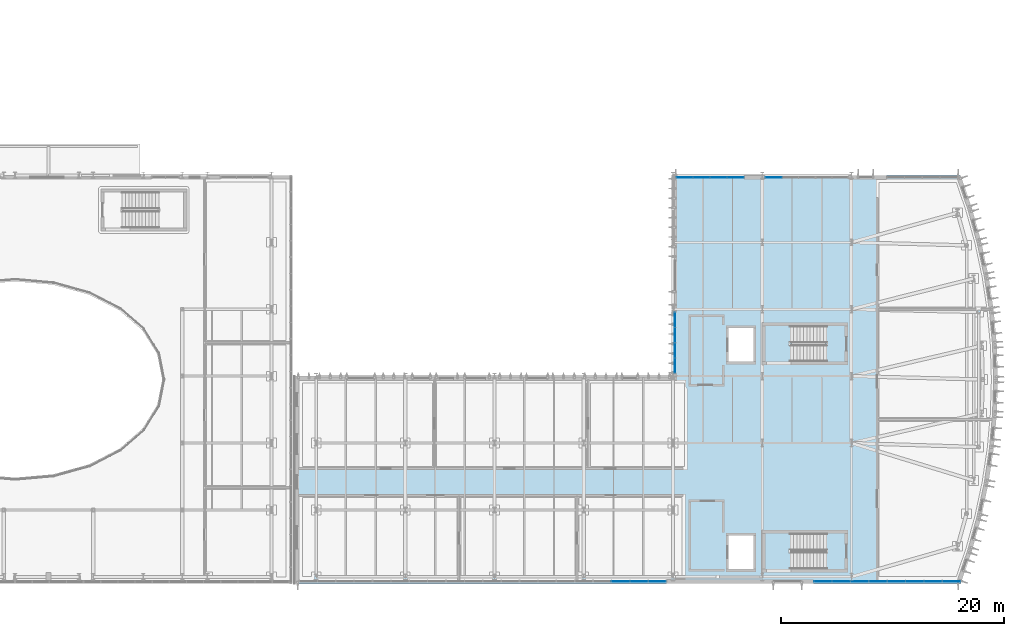
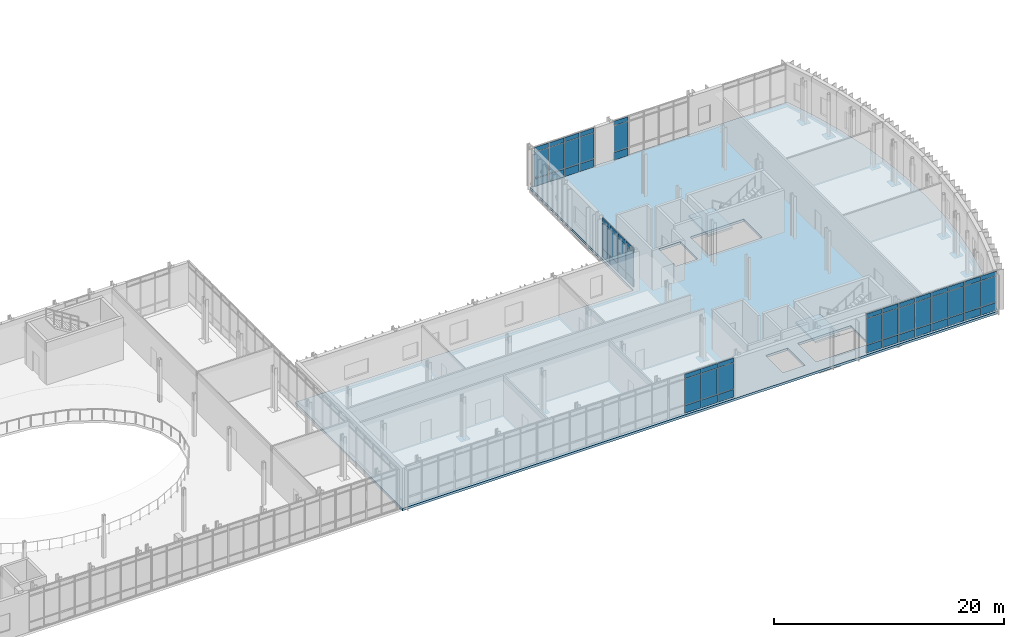
# One storey, part 58 of 100: 60 plates, 3 slabs, 8 elements without a shape of their own.
"""IFC4 building model written with IfcOpenShell, lengths in metres."""

import ifcopenshell
import ifcopenshell.guid

model = None  # the IFC model being written
_history = None  # IfcOwnerHistory: only IFC2X3 demands one
_inside = {}  # id of a spatial element -> (the spatial element, [elements in it])
_under = {}  # id of a project, library or spatial element -> (it, [spatial elements below it])
_declared = {}  # id of a project -> (the project, [libraries it declares])
_typed = {}  # id of a type object -> (the type object, [elements of that type])
_made_of = {}  # id of a material, layer set ... -> (it, [elements and type objects made of it])


def new_model(schema):
    """Start an empty IFC model of exactly this schema.

    Asked for "IFC4X3", IfcOpenShell would pick the latest addendum, in which some entities
    have other attributes; the version numbers below select the first issue.
    IFC2X3 requires an IfcOwnerHistory on every rooted entity: one is made here for all.
    """
    global model, _history
    if schema == "IFC4X3":
        model = ifcopenshell.file(schema_version=(4, 3, 0, 0))
    else:
        model = ifcopenshell.file(schema=schema)
    _inside.clear()
    _under.clear()
    _declared.clear()
    _typed.clear()
    _made_of.clear()
    _history = None
    if model.schema == "IFC2X3":
        org = make("IfcOrganization", Name="unknown")
        user = make(
            "IfcPersonAndOrganization",
            ThePerson=make("IfcPerson", FamilyName="unknown"),
            TheOrganization=org,
        )
        app = make(
            "IfcApplication",
            ApplicationDeveloper=org,
            Version="unknown",
            ApplicationFullName="unknown",
            ApplicationIdentifier="unknown",
        )
        _history = make(
            "IfcOwnerHistory",
            OwningUser=user,
            OwningApplication=app,
            ChangeAction="ADDED",
            CreationDate=0,
        )
    return model


def make(cls, **values):
    """One entity of the class cls with the attributes given. An attribute that is None is left unset."""
    return model.create_entity(
        cls, **{name: value for name, value in values.items() if value is not None}
    )


def rooted(cls, **values):
    """An entity with a GlobalId (a new one), such as an element, a storey or a relation."""
    return make(cls, GlobalId=ifcopenshell.guid.new(), OwnerHistory=_history, **values)


def si_unit(unit_type, name, prefix=None):
    """IfcSIUnit, for example si_unit("LENGTHUNIT", "METRE", prefix="MILLI")."""
    return make("IfcSIUnit", UnitType=unit_type, Prefix=prefix, Name=name)


def assignment(units):
    """IfcUnitAssignment: the units of a project."""
    return None if units is None else make("IfcUnitAssignment", Units=units)


def point(xyz):
    """IfcCartesianPoint."""
    return None if xyz is None else make("IfcCartesianPoint", Coordinates=xyz)


def direction(xyz):
    """IfcDirection."""
    return None if xyz is None else make("IfcDirection", DirectionRatios=xyz)


def frame(location, z_axis=None, x_axis=None):
    """IfcAxis2Placement3D, a coordinate frame: its origin and axes. An axis left out is left unset."""
    return make(
        "IfcAxis2Placement3D",
        Location=point(location),
        Axis=direction(z_axis),
        RefDirection=direction(x_axis),
    )


def frame_2d(location, x_axis=None):
    """IfcAxis2Placement2D, a coordinate frame in the plane: its origin and x axis."""
    return make(
        "IfcAxis2Placement2D", Location=point(location), RefDirection=direction(x_axis)
    )


def origin():
    """The frame at (0, 0, 0) with its axes left unset."""
    return frame((0.0, 0.0, 0.0))


def origin_2d():
    """The frame at (0, 0) in the plane with its x axis left unset."""
    return frame_2d((0.0, 0.0))


def place(relative_to, where):
    """IfcLocalPlacement: puts the frame where relative to a parent placement (None: the world)."""
    return make(
        "IfcLocalPlacement", PlacementRelTo=relative_to, RelativePlacement=where
    )


def context(
    kind, dimensions, precision=None, world=None, true_north=None, identifier=None
):
    """IfcGeometricRepresentationContext, for example the 3D "Model" context."""
    return make(
        "IfcGeometricRepresentationContext",
        ContextIdentifier=identifier,
        ContextType=kind,
        CoordinateSpaceDimension=dimensions,
        Precision=precision,
        WorldCoordinateSystem=world,
        TrueNorth=true_north,
    )


def subcontext(parent, identifier, kind, view, scale=None):
    """IfcGeometricRepresentationSubContext, for example "Body" below "Model"."""
    return make(
        "IfcGeometricRepresentationSubContext",
        ContextIdentifier=identifier,
        ContextType=kind,
        ParentContext=parent,
        TargetScale=scale,
        TargetView=view,
    )


def project(units=None, contexts=None):
    """IfcProject with its units and contexts."""
    return rooted(
        "IfcProject",
        Name="project",
        RepresentationContexts=contexts,
        UnitsInContext=assignment(units),
    )


def spatial(cls, under=None, at=None, **own):
    """A site, building, storey or space (cls), placed at a placement, below another one or the project."""
    s = rooted(cls, ObjectPlacement=at, **own)
    if under is not None:
        _under.setdefault(under.id(), (under, []))[1].append(s)
    return s


def polyline(points):
    """IfcPolyline through the points."""
    return make("IfcPolyline", Points=[point(p) for p in points])


def profile(cls, at=None, kind="AREA", **sizes):
    """A parametric profile (cls). Its sizes go by their IFC names, for example OverallWidth=200.0."""
    return make(cls, ProfileType=kind, Position=at, **sizes)


def rectangle(**sizes):
    """IfcRectangleProfileDef."""
    return profile("IfcRectangleProfileDef", **sizes)


def outline(outer, holes=None, kind="AREA"):
    """IfcArbitraryClosedProfileDef: a profile drawn as a closed curve; with holes, ...WithVoids."""
    if holes is None:
        return make("IfcArbitraryClosedProfileDef", ProfileType=kind, OuterCurve=outer)
    return make(
        "IfcArbitraryProfileDefWithVoids",
        ProfileType=kind,
        OuterCurve=outer,
        InnerCurves=holes,
    )


def extrude(swept, where, along, depth):
    """IfcExtrudedAreaSolid: the profile swept, set in the frame where, extruded along a direction by depth."""
    return make(
        "IfcExtrudedAreaSolid",
        SweptArea=swept,
        Position=where,
        ExtrudedDirection=direction(along),
        Depth=depth,
    )


def shape(context_of_items, identifier, shape_type, items):
    """IfcShapeRepresentation: the items that make up one representation, for example the "Body"."""
    return make(
        "IfcShapeRepresentation",
        ContextOfItems=context_of_items,
        RepresentationIdentifier=identifier,
        RepresentationType=shape_type,
        Items=items,
    )


def material(Name=None, Category=None):
    """IfcMaterial."""
    return make("IfcMaterial", Name=Name, Category=Category)


def layer(
    of_material, thickness, ventilated=None, Name=None, Category=None, Priority=None
):
    """IfcMaterialLayer: one layer of a wall or slab, of a material (None: an air gap)."""
    return make(
        "IfcMaterialLayer",
        Material=of_material,
        LayerThickness=thickness,
        IsVentilated=ventilated,
        Name=Name,
        Category=Category,
        Priority=Priority,
    )


def layer_set(layers, Name=None):
    """IfcMaterialLayerSet."""
    return make("IfcMaterialLayerSet", MaterialLayers=layers, LayerSetName=Name)


def made_of(thing, what):
    """Note that an element or type object is made of a material, layer set ...; save() writes the relation."""
    if what is not None:
        _made_of.setdefault(what.id(), (what, []))[1].append(thing)
    return thing


def type_object(cls, material=None, **own):
    """A type object (cls), such as IfcWallType, which elements share."""
    return made_of(rooted(cls, **own), material)


def element(
    cls,
    number,
    at=None,
    inside=None,
    cuts=None,
    type_object=None,
    material=None,
    context=None,
    identifier="Body",
    shape_type=None,
    held_by="IfcProductDefinitionShape",
    body=None,
    shapes=None,
    **own,
):
    """One element of the class cls, such as IfcWall. Its Tag is "e" and its number.

    at: its placement. inside: the storey or other place that contains it. cuts: it is an
    opening in that element (IfcRelVoidsElement). A single representation is given by context,
    identifier, shape_type and body (its items); several are given by shapes. held_by: the class
    of the entity that holds the representations. save() writes the other relations.
    """
    e = rooted(cls, Tag="e%d" % number, ObjectPlacement=at, **own)
    if body is not None:
        shapes = [shape(context, identifier, shape_type, body)]
    if shapes is not None:
        e.Representation = make(held_by, Representations=shapes)
    if inside is not None:
        _inside.setdefault(inside.id(), (inside, []))[1].append(e)
    if cuts is not None:
        rooted(
            "IfcRelVoidsElement", RelatingBuildingElement=cuts, RelatedOpeningElement=e
        )
    if type_object is not None:
        _typed.setdefault(type_object.id(), (type_object, []))[1].append(e)
    return made_of(e, material)


def aggregate(whole, parts):
    """IfcRelAggregates: a whole, such as a stair, and the parts it consists of."""
    return rooted("IfcRelAggregates", RelatingObject=whole, RelatedObjects=parts)


def save(model, path):
    """Write the relations noted so far, then the file.

    IfcRelAggregates (storeys below a building ...), IfcRelContainedInSpatialStructure (elements
    in a storey), IfcRelDefinesByType, IfcRelAssociatesMaterial and IfcRelDeclares: one each for
    every whole, place, type object, material and project.
    """
    for whole, parts in _under.values():
        aggregate(whole, parts)
    for where, things in _inside.values():
        rooted(
            "IfcRelContainedInSpatialStructure",
            RelatedElements=things,
            RelatingStructure=where,
        )
    for kind, things in _typed.values():
        rooted("IfcRelDefinesByType", RelatedObjects=things, RelatingType=kind)
    for what, things in _made_of.values():
        rooted("IfcRelAssociatesMaterial", RelatedObjects=things, RelatingMaterial=what)
    for by, libraries in _declared.values():
        rooted("IfcRelDeclares", RelatingContext=by, RelatedDefinitions=libraries)
    model.write(path)


model = new_model("IFC4")

# Units and contexts
model_context = context("Model", 3, precision=1e-05, world=origin(), true_north=direction((0.0, 1.0)))
body_context = subcontext(model_context, "Body", "Model", "MODEL_VIEW")
ifc_project = project(units=[si_unit("LENGTHUNIT", "METRE"), si_unit("AREAUNIT", "SQUARE_METRE"), si_unit("VOLUMEUNIT", "CUBIC_METRE"), si_unit("PLANEANGLEUNIT", "RADIAN"), si_unit("MASSUNIT", "GRAM", prefix="KILO")], contexts=[model_context])

# Site, building, storey
site_placement = place(None, origin())
site = spatial("IfcSite", under=ifc_project, at=site_placement, CompositionType="ELEMENT")
building_placement = place(site_placement, origin())
building = spatial("IfcBuilding", under=site, at=building_placement, Name="Cymarion Research Institute", CompositionType="ELEMENT")
storey_placement = place(building_placement, frame((0.0, 0.0, 4.800048828125)))
storey = spatial("IfcBuildingStorey", under=building, at=storey_placement, Name="L01", CompositionType="ELEMENT", Elevation=4.800048828125)

# Slab
ifc_material_1 = material(Name="Concrete C35/45", Category="concrete")
ifc_layer_1 = layer(ifc_material_1, 0.25)
ifc_layer_set_1 = layer_set([ifc_layer_1], Name="Concrete C35/45")
slab_type_1 = type_object("IfcSlabType", Name="COMPOSITE FLOOR SLAB SL-FL250 250MM", PredefinedType="FLOOR", material=ifc_layer_set_1)
slab_1_placement = place(storey_placement, frame((0.0, 0.0, -0.25)))
element("IfcSlab", 1, at=slab_1_placement, inside=storey, type_object=slab_type_1, Name="L01 V1 floor slab", PredefinedType="FLOOR", context=body_context, shape_type="SweptSolid", body=[
    extrude(outline(polyline([(104.699951171875, 4.89990234375), (164.39990234375, 4.89990234375), (165.40869140625, 7.848388671875), (166.2392578125, 10.85205078125), (166.88818359375, 13.900146484375), (167.353271484375, 16.9814453125), (167.633056640625, 20.085205078125), (167.7265625, 23.199951171875), (167.633056640625, 26.31494140625), (167.353271484375, 29.418701171875), (166.88818359375, 32.5), (166.2392578125, 35.5478515625), (165.40869140625, 38.551513671875), (164.39990234375, 41.5), (138.60009765625, 41.5), (138.60009765625, 23.5), (104.699951171875, 23.5), (104.699951171875, 4.89990234375)]), holes=[polyline([(152.260009765625, 9.39990234375), (146.89990234375, 9.39990234375), (146.89990234375, 6.199951171875), (152.260009765625, 6.199951171875), (152.260009765625, 9.39990234375)]), polyline([(143.60009765625, 6.199951171875), (145.800048828125, 6.199951171875), (145.800048828125, 9.199951171875), (143.60009765625, 9.199951171875), (143.60009765625, 6.199951171875)]), polyline([(152.260009765625, 28.0), (146.89990234375, 28.0), (146.89990234375, 24.800048828125), (152.260009765625, 24.800048828125), (152.260009765625, 28.0)]), polyline([(143.60009765625, 24.800048828125), (145.800048828125, 24.800048828125), (145.800048828125, 27.800048828125), (143.60009765625, 27.800048828125), (143.60009765625, 24.800048828125)])]), origin(), (0.0, 0.0, 1.0), 0.25),
])

# Curtain wall, plates
ifc_material_2 = material(Name="Anodised aluminium unitised curtain wall with Low-E glazing", Category="aluminium")
curtain_wall_type_1 = type_object("IfcCurtainWallType", Name="UNITISED CURTAIN WALL CW01 6590X4250", PredefinedType="NOTDEFINED", material=ifc_material_2)
curtain_wall_1_placement = place(storey_placement, origin())
curtain_wall_1 = element("IfcCurtainWall", 2, at=curtain_wall_1_placement, inside=storey, type_object=curtain_wall_type_1, Name="L01 V1 unitised curtain wall CW01 #5", PredefinedType="NOTDEFINED")
ifc_material_3 = material(Name="Insulated anodised aluminium spandrel panel", Category="aluminium")
ifc_layer_2 = layer(ifc_material_3, 0.06005859375)
ifc_layer_set_2 = layer_set([ifc_layer_2], Name="Insulated anodised aluminium spandrel panel")
plate_type_1 = type_object("IfcPlateType", Name="INSULATED ALUMINIUM SPANDREL PANEL SP01 60MM", PredefinedType="SHEET", material=ifc_layer_set_2)
plate_1_placement = place(storey_placement, frame((133.90673828125, 5.090087890625, 0.059814453125), z_axis=(0.0, 0.0, 1.0), x_axis=(1.0, 0.0, 0.0)))
plate_1 = element("IfcPlate", 3, at=plate_1_placement, type_object=plate_type_1, Name="CW01 panel 2.1", PredefinedType="SHEET", context=body_context, shape_type="SweptSolid", body=[
    extrude(rectangle(XDim=1.58837890625, YDim=0.06005859375, at=origin_2d()), origin(), (0.0, 0.0, 1.0), 0.81005859375),
])
plate_2_placement = place(storey_placement, frame((133.90673828125, 5.090087890625, 3.72998046875), z_axis=(0.0, 0.0, 1.0), x_axis=(1.0, 0.0, 0.0)))
plate_2 = element("IfcPlate", 4, at=plate_2_placement, type_object=plate_type_1, Name="CW01 panel 2.3", PredefinedType="SHEET", context=body_context, shape_type="SweptSolid", body=[
    extrude(rectangle(XDim=1.58837890625, YDim=0.06005859375, at=origin_2d()), origin(), (0.0, 0.0, 1.0), 0.4599609375),
])
plate_3_placement = place(storey_placement, frame((135.55517578125, 5.090087890625, 0.059814453125), z_axis=(0.0, 0.0, 1.0), x_axis=(1.0, 0.0, 0.0)))
plate_3 = element("IfcPlate", 5, at=plate_3_placement, type_object=plate_type_1, Name="CW01 panel 3.1", PredefinedType="SHEET", context=body_context, shape_type="SweptSolid", body=[
    extrude(rectangle(XDim=1.58837890625, YDim=0.06005859375, at=origin_2d()), origin(), (0.0, 0.0, 1.0), 0.81005859375),
])
plate_4_placement = place(storey_placement, frame((135.55517578125, 5.090087890625, 3.72998046875), z_axis=(0.0, 0.0, 1.0), x_axis=(1.0, 0.0, 0.0)))
plate_4 = element("IfcPlate", 6, at=plate_4_placement, type_object=plate_type_1, Name="CW01 panel 3.3", PredefinedType="SHEET", context=body_context, shape_type="SweptSolid", body=[
    extrude(rectangle(XDim=1.58837890625, YDim=0.06005859375, at=origin_2d()), origin(), (0.0, 0.0, 1.0), 0.4599609375),
])
plate_5_placement = place(storey_placement, frame((137.1884765625, 5.090087890625, 0.059814453125), z_axis=(0.0, 0.0, 1.0), x_axis=(1.0, 0.0, 0.0)))
plate_5 = element("IfcPlate", 7, at=plate_5_placement, type_object=plate_type_1, Name="CW01 panel 4.1", PredefinedType="SHEET", context=body_context, shape_type="SweptSolid", body=[
    extrude(rectangle(XDim=1.558349609375, YDim=0.06005859375, at=origin_2d()), origin(), (0.0, 0.0, 1.0), 0.81005859375),
])
plate_6_placement = place(storey_placement, frame((137.1884765625, 5.090087890625, 3.72998046875), z_axis=(0.0, 0.0, 1.0), x_axis=(1.0, 0.0, 0.0)))
plate_6 = element("IfcPlate", 8, at=plate_6_placement, type_object=plate_type_1, Name="CW01 panel 4.3", PredefinedType="SHEET", context=body_context, shape_type="SweptSolid", body=[
    extrude(rectangle(XDim=1.558349609375, YDim=0.06005859375, at=origin_2d()), origin(), (0.0, 0.0, 1.0), 0.4599609375),
])

curtain_wall_2_placement = place(storey_placement, origin())
curtain_wall_2 = element("IfcCurtainWall", 9, at=curtain_wall_2_placement, inside=storey, type_object=curtain_wall_type_1, Name="L01 V1 unitised curtain wall CW01 #6", PredefinedType="NOTDEFINED")
plate_7_placement = place(storey_placement, frame((152.052978515625, 5.090087890625, 0.059814453125), z_axis=(0.0, 0.0, 1.0), x_axis=(1.0, 0.0, 0.0)))
plate_7 = element("IfcPlate", 10, at=plate_7_placement, type_object=plate_type_1, Name="CW01 panel 1.1", PredefinedType="SHEET", context=body_context, shape_type="SweptSolid", body=[
    extrude(rectangle(XDim=1.558349609375, YDim=0.06005859375, at=origin_2d()), origin(), (0.0, 0.0, 1.0), 0.81005859375),
])
plate_8_placement = place(storey_placement, frame((152.052978515625, 5.090087890625, 3.72998046875), z_axis=(0.0, 0.0, 1.0), x_axis=(1.0, 0.0, 0.0)))
plate_8 = element("IfcPlate", 11, at=plate_8_placement, type_object=plate_type_1, Name="CW01 panel 1.3", PredefinedType="SHEET", context=body_context, shape_type="SweptSolid", body=[
    extrude(rectangle(XDim=1.558349609375, YDim=0.06005859375, at=origin_2d()), origin(), (0.0, 0.0, 1.0), 0.4599609375),
])
plate_9_placement = place(storey_placement, frame((153.686279296875, 5.090087890625, 0.059814453125), z_axis=(0.0, 0.0, 1.0), x_axis=(1.0, 0.0, 0.0)))
plate_9 = element("IfcPlate", 12, at=plate_9_placement, type_object=plate_type_1, Name="CW01 panel 2.1", PredefinedType="SHEET", context=body_context, shape_type="SweptSolid", body=[
    extrude(rectangle(XDim=1.58837890625, YDim=0.06005859375, at=origin_2d()), origin(), (0.0, 0.0, 1.0), 0.81005859375),
])
plate_10_placement = place(storey_placement, frame((153.686279296875, 5.090087890625, 3.72998046875), z_axis=(0.0, 0.0, 1.0), x_axis=(1.0, 0.0, 0.0)))
plate_10 = element("IfcPlate", 13, at=plate_10_placement, type_object=plate_type_1, Name="CW01 panel 2.3", PredefinedType="SHEET", context=body_context, shape_type="SweptSolid", body=[
    extrude(rectangle(XDim=1.58837890625, YDim=0.06005859375, at=origin_2d()), origin(), (0.0, 0.0, 1.0), 0.4599609375),
])
plate_11_placement = place(storey_placement, frame((155.33447265625, 5.090087890625, 0.059814453125), z_axis=(0.0, 0.0, 1.0), x_axis=(1.0, 0.0, 0.0)))
plate_11 = element("IfcPlate", 14, at=plate_11_placement, type_object=plate_type_1, Name="CW01 panel 3.1", PredefinedType="SHEET", context=body_context, shape_type="SweptSolid", body=[
    extrude(rectangle(XDim=1.58837890625, YDim=0.06005859375, at=origin_2d()), origin(), (0.0, 0.0, 1.0), 0.81005859375),
])
plate_12_placement = place(storey_placement, frame((155.33447265625, 5.090087890625, 3.72998046875), z_axis=(0.0, 0.0, 1.0), x_axis=(1.0, 0.0, 0.0)))
plate_12 = element("IfcPlate", 15, at=plate_12_placement, type_object=plate_type_1, Name="CW01 panel 3.3", PredefinedType="SHEET", context=body_context, shape_type="SweptSolid", body=[
    extrude(rectangle(XDim=1.58837890625, YDim=0.06005859375, at=origin_2d()), origin(), (0.0, 0.0, 1.0), 0.4599609375),
])
plate_13_placement = place(storey_placement, frame((156.9677734375, 5.090087890625, 0.059814453125), z_axis=(0.0, 0.0, 1.0), x_axis=(1.0, 0.0, 0.0)))
plate_13 = element("IfcPlate", 16, at=plate_13_placement, type_object=plate_type_1, Name="CW01 panel 4.1", PredefinedType="SHEET", context=body_context, shape_type="SweptSolid", body=[
    extrude(rectangle(XDim=1.558349609375, YDim=0.06005859375, at=origin_2d()), origin(), (0.0, 0.0, 1.0), 0.81005859375),
])
plate_14_placement = place(storey_placement, frame((156.9677734375, 5.090087890625, 3.72998046875), z_axis=(0.0, 0.0, 1.0), x_axis=(1.0, 0.0, 0.0)))
plate_14 = element("IfcPlate", 17, at=plate_14_placement, type_object=plate_type_1, Name="CW01 panel 4.3", PredefinedType="SHEET", context=body_context, shape_type="SweptSolid", body=[
    extrude(rectangle(XDim=1.558349609375, YDim=0.06005859375, at=origin_2d()), origin(), (0.0, 0.0, 1.0), 0.4599609375),
])

curtain_wall_3_placement = place(storey_placement, origin())
curtain_wall_3 = element("IfcCurtainWall", 18, at=curtain_wall_3_placement, inside=storey, type_object=curtain_wall_type_1, Name="L01 V1 unitised curtain wall CW01 #7", PredefinedType="NOTDEFINED")
plate_15_placement = place(storey_placement, frame((158.64599609375, 5.090087890625, 0.059814453125), z_axis=(0.0, 0.0, 1.0), x_axis=(1.0, 0.0, 0.0)))
plate_15 = element("IfcPlate", 19, at=plate_15_placement, type_object=plate_type_1, Name="CW01 panel 1.1", PredefinedType="SHEET", context=body_context, shape_type="SweptSolid", body=[
    extrude(rectangle(XDim=1.558349609375, YDim=0.06005859375, at=origin_2d()), origin(), (0.0, 0.0, 1.0), 0.81005859375),
])
plate_16_placement = place(storey_placement, frame((158.64599609375, 5.090087890625, 3.72998046875), z_axis=(0.0, 0.0, 1.0), x_axis=(1.0, 0.0, 0.0)))
plate_16 = element("IfcPlate", 20, at=plate_16_placement, type_object=plate_type_1, Name="CW01 panel 1.3", PredefinedType="SHEET", context=body_context, shape_type="SweptSolid", body=[
    extrude(rectangle(XDim=1.558349609375, YDim=0.06005859375, at=origin_2d()), origin(), (0.0, 0.0, 1.0), 0.4599609375),
])
plate_17_placement = place(storey_placement, frame((160.279296875, 5.090087890625, 0.059814453125), z_axis=(0.0, 0.0, 1.0), x_axis=(1.0, 0.0, 0.0)))
plate_17 = element("IfcPlate", 21, at=plate_17_placement, type_object=plate_type_1, Name="CW01 panel 2.1", PredefinedType="SHEET", context=body_context, shape_type="SweptSolid", body=[
    extrude(rectangle(XDim=1.58837890625, YDim=0.06005859375, at=origin_2d()), origin(), (0.0, 0.0, 1.0), 0.81005859375),
])
plate_18_placement = place(storey_placement, frame((160.279296875, 5.090087890625, 3.72998046875), z_axis=(0.0, 0.0, 1.0), x_axis=(1.0, 0.0, 0.0)))
plate_18 = element("IfcPlate", 22, at=plate_18_placement, type_object=plate_type_1, Name="CW01 panel 2.3", PredefinedType="SHEET", context=body_context, shape_type="SweptSolid", body=[
    extrude(rectangle(XDim=1.58837890625, YDim=0.06005859375, at=origin_2d()), origin(), (0.0, 0.0, 1.0), 0.4599609375),
])
plate_19_placement = place(storey_placement, frame((161.927490234375, 5.090087890625, 0.059814453125), z_axis=(0.0, 0.0, 1.0), x_axis=(1.0, 0.0, 0.0)))
plate_19 = element("IfcPlate", 23, at=plate_19_placement, type_object=plate_type_1, Name="CW01 panel 3.1", PredefinedType="SHEET", context=body_context, shape_type="SweptSolid", body=[
    extrude(rectangle(XDim=1.58837890625, YDim=0.06005859375, at=origin_2d()), origin(), (0.0, 0.0, 1.0), 0.81005859375),
])
plate_20_placement = place(storey_placement, frame((161.927490234375, 5.090087890625, 3.72998046875), z_axis=(0.0, 0.0, 1.0), x_axis=(1.0, 0.0, 0.0)))
plate_20 = element("IfcPlate", 24, at=plate_20_placement, type_object=plate_type_1, Name="CW01 panel 3.3", PredefinedType="SHEET", context=body_context, shape_type="SweptSolid", body=[
    extrude(rectangle(XDim=1.58837890625, YDim=0.06005859375, at=origin_2d()), origin(), (0.0, 0.0, 1.0), 0.4599609375),
])
plate_21_placement = place(storey_placement, frame((163.560791015625, 5.090087890625, 0.059814453125), z_axis=(0.0, 0.0, 1.0), x_axis=(1.0, 0.0, 0.0)))
plate_21 = element("IfcPlate", 25, at=plate_21_placement, type_object=plate_type_1, Name="CW01 panel 4.1", PredefinedType="SHEET", context=body_context, shape_type="SweptSolid", body=[
    extrude(rectangle(XDim=1.558349609375, YDim=0.06005859375, at=origin_2d()), origin(), (0.0, 0.0, 1.0), 0.81005859375),
])
plate_22_placement = place(storey_placement, frame((163.560791015625, 5.090087890625, 3.72998046875), z_axis=(0.0, 0.0, 1.0), x_axis=(1.0, 0.0, 0.0)))
plate_22 = element("IfcPlate", 26, at=plate_22_placement, type_object=plate_type_1, Name="CW01 panel 4.3", PredefinedType="SHEET", context=body_context, shape_type="SweptSolid", body=[
    extrude(rectangle(XDim=1.558349609375, YDim=0.06005859375, at=origin_2d()), origin(), (0.0, 0.0, 1.0), 0.4599609375),
])

curtain_wall_type_2 = type_object("IfcCurtainWallType", Name="UNITISED CURTAIN WALL CW04 4510X4250", PredefinedType="NOTDEFINED", material=ifc_material_2)
curtain_wall_4_placement = place(storey_placement, origin())
curtain_wall_4 = element("IfcCurtainWall", 27, at=curtain_wall_4_placement, inside=storey, type_object=curtain_wall_type_2, Name="L01 V1 unitised curtain wall CW04 #10", PredefinedType="NOTDEFINED")
plate_23_placement = place(storey_placement, frame((147.627197265625, 41.31005859375, 0.059814453125), z_axis=(0.0, 0.0, 1.0), x_axis=(-1.0, 0.0, 0.0)))
plate_23 = element("IfcPlate", 28, at=plate_23_placement, type_object=plate_type_1, Name="CW04 panel 3.1", PredefinedType="SHEET", context=body_context, shape_type="SweptSolid", body=[
    extrude(rectangle(XDim=1.414306640625, YDim=0.06005859375, at=origin_2d()), origin(), (0.0, 0.0, 1.0), 0.81005859375),
])
plate_24_placement = place(storey_placement, frame((147.627197265625, 41.31005859375, 3.72998046875), z_axis=(0.0, 0.0, 1.0), x_axis=(-1.0, 0.0, 0.0)))
plate_24 = element("IfcPlate", 29, at=plate_24_placement, type_object=plate_type_1, Name="CW04 panel 3.3", PredefinedType="SHEET", context=body_context, shape_type="SweptSolid", body=[
    extrude(rectangle(XDim=1.414306640625, YDim=0.06005859375, at=origin_2d()), origin(), (0.0, 0.0, 1.0), 0.4599609375),
])

curtain_wall_type_3 = type_object("IfcCurtainWallType", Name="UNITISED CURTAIN WALL CW05 6130X4250", PredefinedType="NOTDEFINED", material=ifc_material_2)
curtain_wall_5_placement = place(storey_placement, origin())
curtain_wall_5 = element("IfcCurtainWall", 30, at=curtain_wall_5_placement, inside=storey, type_object=curtain_wall_type_3, Name="L01 V1 unitised curtain wall CW05 #11", PredefinedType="NOTDEFINED")
plate_25_placement = place(storey_placement, frame((144.205810546875, 41.31005859375, 0.059814453125), z_axis=(0.0, 0.0, 1.0), x_axis=(-1.0, 0.0, 0.0)))
plate_25 = element("IfcPlate", 31, at=plate_25_placement, type_object=plate_type_1, Name="CW05 panel 1.1", PredefinedType="SHEET", context=body_context, shape_type="SweptSolid", body=[
    extrude(rectangle(XDim=1.441650390625, YDim=0.06005859375, at=origin_2d()), origin(), (0.0, 0.0, 1.0), 0.81005859375),
])
plate_26_placement = place(storey_placement, frame((144.205810546875, 41.31005859375, 3.72998046875), z_axis=(0.0, 0.0, 1.0), x_axis=(-1.0, 0.0, 0.0)))
plate_26 = element("IfcPlate", 32, at=plate_26_placement, type_object=plate_type_1, Name="CW05 panel 1.3", PredefinedType="SHEET", context=body_context, shape_type="SweptSolid", body=[
    extrude(rectangle(XDim=1.441650390625, YDim=0.06005859375, at=origin_2d()), origin(), (0.0, 0.0, 1.0), 0.4599609375),
])
plate_27_placement = place(storey_placement, frame((142.689208984375, 41.31005859375, 0.059814453125), z_axis=(0.0, 0.0, 1.0), x_axis=(-1.0, 0.0, 0.0)))
plate_27 = element("IfcPlate", 33, at=plate_27_placement, type_object=plate_type_1, Name="CW05 panel 2.1", PredefinedType="SHEET", context=body_context, shape_type="SweptSolid", body=[
    extrude(rectangle(XDim=1.4716796875, YDim=0.06005859375, at=origin_2d()), origin(), (0.0, 0.0, 1.0), 0.81005859375),
])
plate_28_placement = place(storey_placement, frame((142.689208984375, 41.31005859375, 3.72998046875), z_axis=(0.0, 0.0, 1.0), x_axis=(-1.0, 0.0, 0.0)))
plate_28 = element("IfcPlate", 34, at=plate_28_placement, type_object=plate_type_1, Name="CW05 panel 2.3", PredefinedType="SHEET", context=body_context, shape_type="SweptSolid", body=[
    extrude(rectangle(XDim=1.4716796875, YDim=0.06005859375, at=origin_2d()), origin(), (0.0, 0.0, 1.0), 0.4599609375),
])
plate_29_placement = place(storey_placement, frame((141.157470703125, 41.31005859375, 0.059814453125), z_axis=(0.0, 0.0, 1.0), x_axis=(-1.0, 0.0, 0.0)))
plate_29 = element("IfcPlate", 35, at=plate_29_placement, type_object=plate_type_1, Name="CW05 panel 3.1", PredefinedType="SHEET", context=body_context, shape_type="SweptSolid", body=[
    extrude(rectangle(XDim=1.4716796875, YDim=0.06005859375, at=origin_2d()), origin(), (0.0, 0.0, 1.0), 0.81005859375),
])
plate_30_placement = place(storey_placement, frame((141.157470703125, 41.31005859375, 3.72998046875), z_axis=(0.0, 0.0, 1.0), x_axis=(-1.0, 0.0, 0.0)))
plate_30 = element("IfcPlate", 36, at=plate_30_placement, type_object=plate_type_1, Name="CW05 panel 3.3", PredefinedType="SHEET", context=body_context, shape_type="SweptSolid", body=[
    extrude(rectangle(XDim=1.4716796875, YDim=0.06005859375, at=origin_2d()), origin(), (0.0, 0.0, 1.0), 0.4599609375),
])
plate_31_placement = place(storey_placement, frame((139.640869140625, 41.31005859375, 0.059814453125), z_axis=(0.0, 0.0, 1.0), x_axis=(-1.0, 0.0, 0.0)))
plate_31 = element("IfcPlate", 37, at=plate_31_placement, type_object=plate_type_1, Name="CW05 panel 4.1", PredefinedType="SHEET", context=body_context, shape_type="SweptSolid", body=[
    extrude(rectangle(XDim=1.441650390625, YDim=0.06005859375, at=origin_2d()), origin(), (0.0, 0.0, 1.0), 0.81005859375),
])
plate_32_placement = place(storey_placement, frame((139.640869140625, 41.31005859375, 3.72998046875), z_axis=(0.0, 0.0, 1.0), x_axis=(-1.0, 0.0, 0.0)))
plate_32 = element("IfcPlate", 38, at=plate_32_placement, type_object=plate_type_1, Name="CW05 panel 4.3", PredefinedType="SHEET", context=body_context, shape_type="SweptSolid", body=[
    extrude(rectangle(XDim=1.441650390625, YDim=0.06005859375, at=origin_2d()), origin(), (0.0, 0.0, 1.0), 0.4599609375),
])

curtain_wall_type_4 = type_object("IfcCurtainWallType", Name="UNITISED CURTAIN WALL CW06 5480X4250", PredefinedType="NOTDEFINED", material=ifc_material_2)
curtain_wall_6_placement = place(storey_placement, origin())
curtain_wall_6 = element("IfcCurtainWall", 39, at=curtain_wall_6_placement, inside=storey, type_object=curtain_wall_type_4, Name="L01 V1 unitised curtain wall CW06 #12", PredefinedType="NOTDEFINED")
plate_33_placement = place(storey_placement, frame((138.7900390625, 28.5400390625, 0.059814453125), z_axis=(0.0, 0.0, 1.0), x_axis=(0.0, -1.0, 0.0)))
plate_33 = element("IfcPlate", 40, at=plate_33_placement, type_object=plate_type_1, Name="CW06 panel 1.1", PredefinedType="SHEET", context=body_context, shape_type="SweptSolid", body=[
    extrude(rectangle(XDim=1.280029296875, YDim=0.06005859375, at=origin_2d()), origin(), (0.0, 0.0, 1.0), 0.81005859375),
])
plate_34_placement = place(storey_placement, frame((138.7900390625, 28.5400390625, 3.72998046875), z_axis=(0.0, 0.0, 1.0), x_axis=(0.0, -1.0, 0.0)))
plate_34 = element("IfcPlate", 41, at=plate_34_placement, type_object=plate_type_1, Name="CW06 panel 1.3", PredefinedType="SHEET", context=body_context, shape_type="SweptSolid", body=[
    extrude(rectangle(XDim=1.280029296875, YDim=0.06005859375, at=origin_2d()), origin(), (0.0, 0.0, 1.0), 0.4599609375),
])
plate_35_placement = place(storey_placement, frame((138.7900390625, 27.18505859375, 0.059814453125), z_axis=(0.0, 0.0, 1.0), x_axis=(0.0, -1.0, 0.0)))
plate_35 = element("IfcPlate", 42, at=plate_35_placement, type_object=plate_type_1, Name="CW06 panel 2.1", PredefinedType="SHEET", context=body_context, shape_type="SweptSolid", body=[
    extrude(rectangle(XDim=1.31005859375, YDim=0.06005859375, at=origin_2d()), origin(), (0.0, 0.0, 1.0), 0.81005859375),
])
plate_36_placement = place(storey_placement, frame((138.7900390625, 27.18505859375, 3.72998046875), z_axis=(0.0, 0.0, 1.0), x_axis=(0.0, -1.0, 0.0)))
plate_36 = element("IfcPlate", 43, at=plate_36_placement, type_object=plate_type_1, Name="CW06 panel 2.3", PredefinedType="SHEET", context=body_context, shape_type="SweptSolid", body=[
    extrude(rectangle(XDim=1.31005859375, YDim=0.06005859375, at=origin_2d()), origin(), (0.0, 0.0, 1.0), 0.4599609375),
])
plate_37_placement = place(storey_placement, frame((138.7900390625, 25.81494140625, 0.059814453125), z_axis=(0.0, 0.0, 1.0), x_axis=(0.0, -1.0, 0.0)))
plate_37 = element("IfcPlate", 44, at=plate_37_placement, type_object=plate_type_1, Name="CW06 panel 3.1", PredefinedType="SHEET", context=body_context, shape_type="SweptSolid", body=[
    extrude(rectangle(XDim=1.31005859375, YDim=0.06005859375, at=origin_2d()), origin(), (0.0, 0.0, 1.0), 0.81005859375),
])
plate_38_placement = place(storey_placement, frame((138.7900390625, 25.81494140625, 3.72998046875), z_axis=(0.0, 0.0, 1.0), x_axis=(0.0, -1.0, 0.0)))
plate_38 = element("IfcPlate", 45, at=plate_38_placement, type_object=plate_type_1, Name="CW06 panel 3.3", PredefinedType="SHEET", context=body_context, shape_type="SweptSolid", body=[
    extrude(rectangle(XDim=1.31005859375, YDim=0.06005859375, at=origin_2d()), origin(), (0.0, 0.0, 1.0), 0.4599609375),
])
plate_39_placement = place(storey_placement, frame((138.7900390625, 24.4599609375, 0.059814453125), z_axis=(0.0, 0.0, 1.0), x_axis=(0.0, -1.0, 0.0)))
plate_39 = element("IfcPlate", 46, at=plate_39_placement, type_object=plate_type_1, Name="CW06 panel 4.1", PredefinedType="SHEET", context=body_context, shape_type="SweptSolid", body=[
    extrude(rectangle(XDim=1.280029296875, YDim=0.06005859375, at=origin_2d()), origin(), (0.0, 0.0, 1.0), 0.81005859375),
])
plate_40_placement = place(storey_placement, frame((138.7900390625, 24.4599609375, 3.72998046875), z_axis=(0.0, 0.0, 1.0), x_axis=(0.0, -1.0, 0.0)))
plate_40 = element("IfcPlate", 47, at=plate_40_placement, type_object=plate_type_1, Name="CW06 panel 4.3", PredefinedType="SHEET", context=body_context, shape_type="SweptSolid", body=[
    extrude(rectangle(XDim=1.280029296875, YDim=0.06005859375, at=origin_2d()), origin(), (0.0, 0.0, 1.0), 0.4599609375),
])

# Stair, slab
stair_type = type_object("IfcStairType", Name="REINFORCED CONCRETE DOGLEG STAIR STR-4500", PredefinedType="HALF_TURN_STAIR", material=ifc_material_1)
stair_1_placement = place(storey_placement, origin())
stair_1 = element("IfcStair", 48, at=stair_1_placement, inside=storey, type_object=stair_type, Name="L01 Core C1 Smoke-Proof Exit Stair ST1", PredefinedType="HALF_TURN_STAIR")
ifc_layer_3 = layer(ifc_material_1, 0.199951171875)
ifc_layer_set_3 = layer_set([ifc_layer_3], Name="Concrete C35/45")
slab_type_2 = type_object("IfcSlabType", Name="REINFORCED CONCRETE STAIR LANDING LDG200", PredefinedType="LANDING", material=ifc_layer_set_3)
slab_2_placement = place(storey_placement, frame((0.0, 0.0, 2.050048828125)))
slab_2 = element("IfcSlab", 49, at=slab_2_placement, type_object=slab_type_2, Name="ST1 landing 1", PredefinedType="LANDING", context=body_context, shape_type="SweptSolid", body=[
    extrude(outline(polyline([(149.219970703125, 9.52001953125), (149.219970703125, 6.080078125), (146.780029296875, 6.080078125), (146.780029296875, 9.52001953125), (149.219970703125, 9.52001953125)])), origin(), (0.0, 0.0, 1.0), 0.199951171875),
])
aggregate(stair_1, [slab_2])

stair_2_placement = place(storey_placement, origin())
stair_2 = element("IfcStair", 50, at=stair_2_placement, inside=storey, type_object=stair_type, Name="L01 Core C2 Smoke-Proof Exit Stair ST2", PredefinedType="HALF_TURN_STAIR")
slab_3_placement = place(storey_placement, frame((0.0, 0.0, 2.050048828125)))
slab_3 = element("IfcSlab", 51, at=slab_3_placement, type_object=slab_type_2, Name="ST2 landing 1", PredefinedType="LANDING", context=body_context, shape_type="SweptSolid", body=[
    extrude(outline(polyline([(149.219970703125, 28.1201171875), (149.219970703125, 24.679931640625), (146.780029296875, 24.679931640625), (146.780029296875, 28.1201171875), (149.219970703125, 28.1201171875)])), origin(), (0.0, 0.0, 1.0), 0.199951171875),
])
aggregate(stair_2, [slab_3])

# Plate
ifc_material_4 = material(Name="Low-E double solar-control glazing", Category="glass")
ifc_layer_4 = layer(ifc_material_4, 0.035888671875)
ifc_layer_set_4 = layer_set([ifc_layer_4], Name="Low-E double solar-control glazing")
plate_type_2 = type_object("IfcPlateType", Name="SOLAR CONTROL GLAZED VISION PANEL GP01 36MM", PredefinedType="CURTAIN_PANEL", material=ifc_layer_set_4)
plate_41_placement = place(storey_placement, frame((133.90673828125, 5.090087890625, 0.93017578125), z_axis=(0.0, 0.0, 1.0), x_axis=(1.0, 0.0, 0.0)))
plate_41 = element("IfcPlate", 52, at=plate_41_placement, type_object=plate_type_2, Name="CW01 panel 2.2", PredefinedType="CURTAIN_PANEL", context=body_context, shape_type="SweptSolid", body=[
    extrude(rectangle(XDim=1.58837890625, YDim=0.035888671875, at=origin_2d()), origin(), (0.0, 0.0, 1.0), 2.739990234375),
])

plate_42_placement = place(storey_placement, frame((135.55517578125, 5.090087890625, 0.93017578125), z_axis=(0.0, 0.0, 1.0), x_axis=(1.0, 0.0, 0.0)))
plate_42 = element("IfcPlate", 53, at=plate_42_placement, type_object=plate_type_2, Name="CW01 panel 3.2", PredefinedType="CURTAIN_PANEL", context=body_context, shape_type="SweptSolid", body=[
    extrude(rectangle(XDim=1.58837890625, YDim=0.035888671875, at=origin_2d()), origin(), (0.0, 0.0, 1.0), 2.739990234375),
])

plate_43_placement = place(storey_placement, frame((137.1884765625, 5.090087890625, 0.93017578125), z_axis=(0.0, 0.0, 1.0), x_axis=(1.0, 0.0, 0.0)))
plate_43 = element("IfcPlate", 54, at=plate_43_placement, type_object=plate_type_2, Name="CW01 panel 4.2", PredefinedType="CURTAIN_PANEL", context=body_context, shape_type="SweptSolid", body=[
    extrude(rectangle(XDim=1.558349609375, YDim=0.035888671875, at=origin_2d()), origin(), (0.0, 0.0, 1.0), 2.739990234375),
])

aggregate(curtain_wall_1, [plate_1, plate_41, plate_2, plate_3, plate_42, plate_4, plate_5, plate_43, plate_6])

plate_44_placement = place(storey_placement, frame((152.052978515625, 5.090087890625, 0.93017578125), z_axis=(0.0, 0.0, 1.0), x_axis=(1.0, 0.0, 0.0)))
plate_44 = element("IfcPlate", 55, at=plate_44_placement, type_object=plate_type_2, Name="CW01 panel 1.2", PredefinedType="CURTAIN_PANEL", context=body_context, shape_type="SweptSolid", body=[
    extrude(rectangle(XDim=1.558349609375, YDim=0.035888671875, at=origin_2d()), origin(), (0.0, 0.0, 1.0), 2.739990234375),
])

plate_45_placement = place(storey_placement, frame((153.686279296875, 5.090087890625, 0.93017578125), z_axis=(0.0, 0.0, 1.0), x_axis=(1.0, 0.0, 0.0)))
plate_45 = element("IfcPlate", 56, at=plate_45_placement, type_object=plate_type_2, Name="CW01 panel 2.2", PredefinedType="CURTAIN_PANEL", context=body_context, shape_type="SweptSolid", body=[
    extrude(rectangle(XDim=1.58837890625, YDim=0.035888671875, at=origin_2d()), origin(), (0.0, 0.0, 1.0), 2.739990234375),
])

plate_46_placement = place(storey_placement, frame((155.33447265625, 5.090087890625, 0.93017578125), z_axis=(0.0, 0.0, 1.0), x_axis=(1.0, 0.0, 0.0)))
plate_46 = element("IfcPlate", 57, at=plate_46_placement, type_object=plate_type_2, Name="CW01 panel 3.2", PredefinedType="CURTAIN_PANEL", context=body_context, shape_type="SweptSolid", body=[
    extrude(rectangle(XDim=1.58837890625, YDim=0.035888671875, at=origin_2d()), origin(), (0.0, 0.0, 1.0), 2.739990234375),
])

plate_47_placement = place(storey_placement, frame((156.9677734375, 5.090087890625, 0.93017578125), z_axis=(0.0, 0.0, 1.0), x_axis=(1.0, 0.0, 0.0)))
plate_47 = element("IfcPlate", 58, at=plate_47_placement, type_object=plate_type_2, Name="CW01 panel 4.2", PredefinedType="CURTAIN_PANEL", context=body_context, shape_type="SweptSolid", body=[
    extrude(rectangle(XDim=1.558349609375, YDim=0.035888671875, at=origin_2d()), origin(), (0.0, 0.0, 1.0), 2.739990234375),
])

aggregate(curtain_wall_2, [plate_7, plate_44, plate_8, plate_9, plate_45, plate_10, plate_11, plate_46, plate_12, plate_13, plate_47, plate_14])

plate_48_placement = place(storey_placement, frame((158.64599609375, 5.090087890625, 0.93017578125), z_axis=(0.0, 0.0, 1.0), x_axis=(1.0, 0.0, 0.0)))
plate_48 = element("IfcPlate", 59, at=plate_48_placement, type_object=plate_type_2, Name="CW01 panel 1.2", PredefinedType="CURTAIN_PANEL", context=body_context, shape_type="SweptSolid", body=[
    extrude(rectangle(XDim=1.558349609375, YDim=0.035888671875, at=origin_2d()), origin(), (0.0, 0.0, 1.0), 2.739990234375),
])

plate_49_placement = place(storey_placement, frame((160.279296875, 5.090087890625, 0.93017578125), z_axis=(0.0, 0.0, 1.0), x_axis=(1.0, 0.0, 0.0)))
plate_49 = element("IfcPlate", 60, at=plate_49_placement, type_object=plate_type_2, Name="CW01 panel 2.2", PredefinedType="CURTAIN_PANEL", context=body_context, shape_type="SweptSolid", body=[
    extrude(rectangle(XDim=1.58837890625, YDim=0.035888671875, at=origin_2d()), origin(), (0.0, 0.0, 1.0), 2.739990234375),
])

plate_50_placement = place(storey_placement, frame((161.927490234375, 5.090087890625, 0.93017578125), z_axis=(0.0, 0.0, 1.0), x_axis=(1.0, 0.0, 0.0)))
plate_50 = element("IfcPlate", 61, at=plate_50_placement, type_object=plate_type_2, Name="CW01 panel 3.2", PredefinedType="CURTAIN_PANEL", context=body_context, shape_type="SweptSolid", body=[
    extrude(rectangle(XDim=1.58837890625, YDim=0.035888671875, at=origin_2d()), origin(), (0.0, 0.0, 1.0), 2.739990234375),
])

plate_51_placement = place(storey_placement, frame((163.560791015625, 5.090087890625, 0.93017578125), z_axis=(0.0, 0.0, 1.0), x_axis=(1.0, 0.0, 0.0)))
plate_51 = element("IfcPlate", 62, at=plate_51_placement, type_object=plate_type_2, Name="CW01 panel 4.2", PredefinedType="CURTAIN_PANEL", context=body_context, shape_type="SweptSolid", body=[
    extrude(rectangle(XDim=1.558349609375, YDim=0.035888671875, at=origin_2d()), origin(), (0.0, 0.0, 1.0), 2.739990234375),
])

aggregate(curtain_wall_3, [plate_15, plate_48, plate_16, plate_17, plate_49, plate_18, plate_19, plate_50, plate_20, plate_21, plate_51, plate_22])

plate_52_placement = place(storey_placement, frame((147.627197265625, 41.31005859375, 0.93017578125), z_axis=(0.0, 0.0, 1.0), x_axis=(-1.0, 0.0, 0.0)))
plate_52 = element("IfcPlate", 63, at=plate_52_placement, type_object=plate_type_2, Name="CW04 panel 3.2", PredefinedType="CURTAIN_PANEL", context=body_context, shape_type="SweptSolid", body=[
    extrude(rectangle(XDim=1.414306640625, YDim=0.035888671875, at=origin_2d()), origin(), (0.0, 0.0, 1.0), 2.739990234375),
])

aggregate(curtain_wall_4, [plate_23, plate_52, plate_24])

plate_53_placement = place(storey_placement, frame((144.205810546875, 41.31005859375, 0.93017578125), z_axis=(0.0, 0.0, 1.0), x_axis=(-1.0, 0.0, 0.0)))
plate_53 = element("IfcPlate", 64, at=plate_53_placement, type_object=plate_type_2, Name="CW05 panel 1.2", PredefinedType="CURTAIN_PANEL", context=body_context, shape_type="SweptSolid", body=[
    extrude(rectangle(XDim=1.441650390625, YDim=0.035888671875, at=origin_2d()), origin(), (0.0, 0.0, 1.0), 2.739990234375),
])

plate_54_placement = place(storey_placement, frame((142.689208984375, 41.31005859375, 0.93017578125), z_axis=(0.0, 0.0, 1.0), x_axis=(-1.0, 0.0, 0.0)))
plate_54 = element("IfcPlate", 65, at=plate_54_placement, type_object=plate_type_2, Name="CW05 panel 2.2", PredefinedType="CURTAIN_PANEL", context=body_context, shape_type="SweptSolid", body=[
    extrude(rectangle(XDim=1.4716796875, YDim=0.035888671875, at=origin_2d()), origin(), (0.0, 0.0, 1.0), 2.739990234375),
])

plate_55_placement = place(storey_placement, frame((141.157470703125, 41.31005859375, 0.93017578125), z_axis=(0.0, 0.0, 1.0), x_axis=(-1.0, 0.0, 0.0)))
plate_55 = element("IfcPlate", 66, at=plate_55_placement, type_object=plate_type_2, Name="CW05 panel 3.2", PredefinedType="CURTAIN_PANEL", context=body_context, shape_type="SweptSolid", body=[
    extrude(rectangle(XDim=1.4716796875, YDim=0.035888671875, at=origin_2d()), origin(), (0.0, 0.0, 1.0), 2.739990234375),
])

plate_56_placement = place(storey_placement, frame((139.640869140625, 41.31005859375, 0.93017578125), z_axis=(0.0, 0.0, 1.0), x_axis=(-1.0, 0.0, 0.0)))
plate_56 = element("IfcPlate", 67, at=plate_56_placement, type_object=plate_type_2, Name="CW05 panel 4.2", PredefinedType="CURTAIN_PANEL", context=body_context, shape_type="SweptSolid", body=[
    extrude(rectangle(XDim=1.441650390625, YDim=0.035888671875, at=origin_2d()), origin(), (0.0, 0.0, 1.0), 2.739990234375),
])

aggregate(curtain_wall_5, [plate_25, plate_53, plate_26, plate_27, plate_54, plate_28, plate_29, plate_55, plate_30, plate_31, plate_56, plate_32])

plate_57_placement = place(storey_placement, frame((138.7900390625, 28.5400390625, 0.93017578125), z_axis=(0.0, 0.0, 1.0), x_axis=(0.0, -1.0, 0.0)))
plate_57 = element("IfcPlate", 68, at=plate_57_placement, type_object=plate_type_2, Name="CW06 panel 1.2", PredefinedType="CURTAIN_PANEL", context=body_context, shape_type="SweptSolid", body=[
    extrude(rectangle(XDim=1.280029296875, YDim=0.035888671875, at=origin_2d()), origin(), (0.0, 0.0, 1.0), 2.739990234375),
])

plate_58_placement = place(storey_placement, frame((138.7900390625, 27.18505859375, 0.93017578125), z_axis=(0.0, 0.0, 1.0), x_axis=(0.0, -1.0, 0.0)))
plate_58 = element("IfcPlate", 69, at=plate_58_placement, type_object=plate_type_2, Name="CW06 panel 2.2", PredefinedType="CURTAIN_PANEL", context=body_context, shape_type="SweptSolid", body=[
    extrude(rectangle(XDim=1.31005859375, YDim=0.035888671875, at=origin_2d()), origin(), (0.0, 0.0, 1.0), 2.739990234375),
])

plate_59_placement = place(storey_placement, frame((138.7900390625, 25.81494140625, 0.93017578125), z_axis=(0.0, 0.0, 1.0), x_axis=(0.0, -1.0, 0.0)))
plate_59 = element("IfcPlate", 70, at=plate_59_placement, type_object=plate_type_2, Name="CW06 panel 3.2", PredefinedType="CURTAIN_PANEL", context=body_context, shape_type="SweptSolid", body=[
    extrude(rectangle(XDim=1.31005859375, YDim=0.035888671875, at=origin_2d()), origin(), (0.0, 0.0, 1.0), 2.739990234375),
])

plate_60_placement = place(storey_placement, frame((138.7900390625, 24.4599609375, 0.93017578125), z_axis=(0.0, 0.0, 1.0), x_axis=(0.0, -1.0, 0.0)))
plate_60 = element("IfcPlate", 71, at=plate_60_placement, type_object=plate_type_2, Name="CW06 panel 4.2", PredefinedType="CURTAIN_PANEL", context=body_context, shape_type="SweptSolid", body=[
    extrude(rectangle(XDim=1.280029296875, YDim=0.035888671875, at=origin_2d()), origin(), (0.0, 0.0, 1.0), 2.739990234375),
])

aggregate(curtain_wall_6, [plate_33, plate_57, plate_34, plate_35, plate_58, plate_36, plate_37, plate_59, plate_38, plate_39, plate_60, plate_40])

save(model, "model.ifc")
